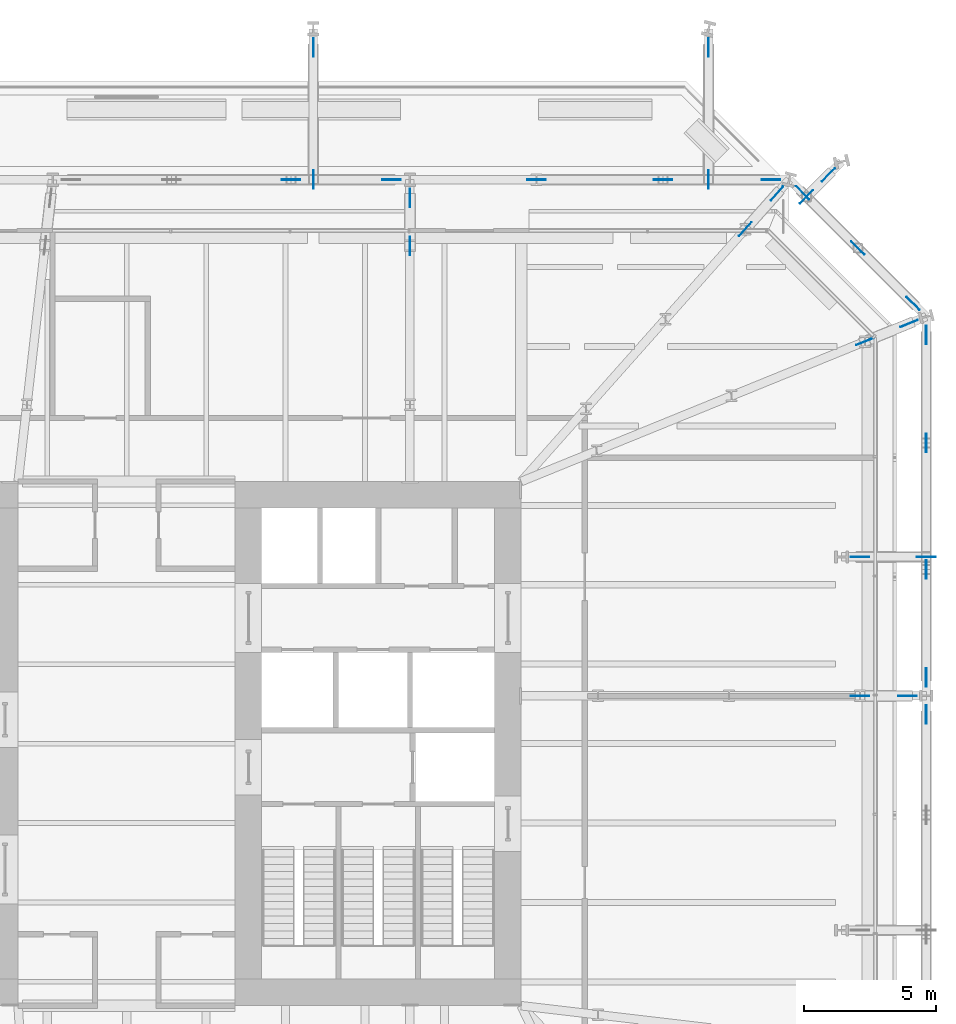
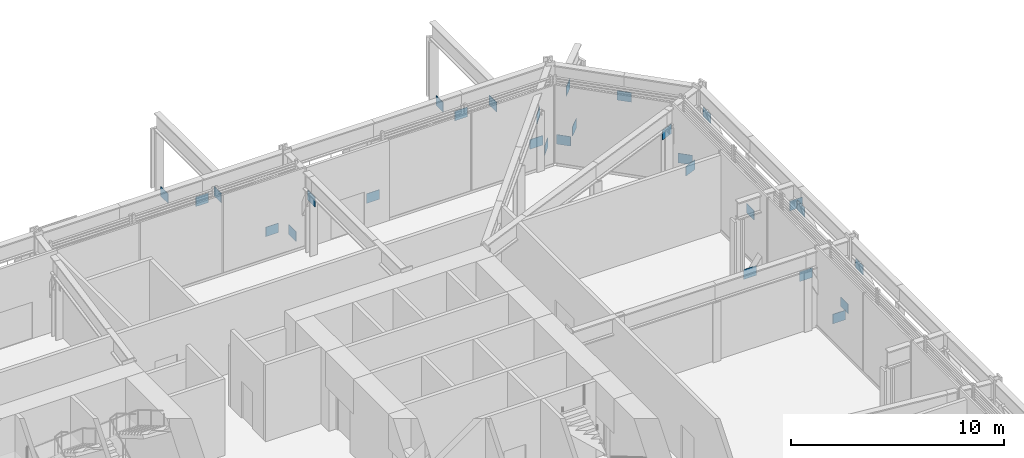
# One storey, part 26 of 29: 29 discrete accessories.
"""IFC4 building model written with IfcOpenShell, lengths in metres."""

import ifcopenshell
import ifcopenshell.guid

model = None  # the IFC model being written
_history = None  # IfcOwnerHistory: only IFC2X3 demands one
_inside = {}  # id of a spatial element -> (the spatial element, [elements in it])
_under = {}  # id of a project, library or spatial element -> (it, [spatial elements below it])
_declared = {}  # id of a project -> (the project, [libraries it declares])
_typed = {}  # id of a type object -> (the type object, [elements of that type])
_made_of = {}  # id of a material, layer set ... -> (it, [elements and type objects made of it])


def new_model(schema):
    """Start an empty IFC model of exactly this schema.

    Asked for "IFC4X3", IfcOpenShell would pick the latest addendum, in which some entities
    have other attributes; the version numbers below select the first issue.
    IFC2X3 requires an IfcOwnerHistory on every rooted entity: one is made here for all.
    """
    global model, _history
    if schema == "IFC4X3":
        model = ifcopenshell.file(schema_version=(4, 3, 0, 0))
    else:
        model = ifcopenshell.file(schema=schema)
    _inside.clear()
    _under.clear()
    _declared.clear()
    _typed.clear()
    _made_of.clear()
    _history = None
    if model.schema == "IFC2X3":
        org = make("IfcOrganization", Name="unknown")
        user = make(
            "IfcPersonAndOrganization",
            ThePerson=make("IfcPerson", FamilyName="unknown"),
            TheOrganization=org,
        )
        app = make(
            "IfcApplication",
            ApplicationDeveloper=org,
            Version="unknown",
            ApplicationFullName="unknown",
            ApplicationIdentifier="unknown",
        )
        _history = make(
            "IfcOwnerHistory",
            OwningUser=user,
            OwningApplication=app,
            ChangeAction="ADDED",
            CreationDate=0,
        )
    return model


def make(cls, **values):
    """One entity of the class cls with the attributes given. An attribute that is None is left unset."""
    return model.create_entity(
        cls, **{name: value for name, value in values.items() if value is not None}
    )


def rooted(cls, **values):
    """An entity with a GlobalId (a new one), such as an element, a storey or a relation."""
    return make(cls, GlobalId=ifcopenshell.guid.new(), OwnerHistory=_history, **values)


def si_unit(unit_type, name, prefix=None):
    """IfcSIUnit, for example si_unit("LENGTHUNIT", "METRE", prefix="MILLI")."""
    return make("IfcSIUnit", UnitType=unit_type, Prefix=prefix, Name=name)


def assignment(units):
    """IfcUnitAssignment: the units of a project."""
    return None if units is None else make("IfcUnitAssignment", Units=units)


def point(xyz):
    """IfcCartesianPoint."""
    return None if xyz is None else make("IfcCartesianPoint", Coordinates=xyz)


def direction(xyz):
    """IfcDirection."""
    return None if xyz is None else make("IfcDirection", DirectionRatios=xyz)


def frame(location, z_axis=None, x_axis=None):
    """IfcAxis2Placement3D, a coordinate frame: its origin and axes. An axis left out is left unset."""
    return make(
        "IfcAxis2Placement3D",
        Location=point(location),
        Axis=direction(z_axis),
        RefDirection=direction(x_axis),
    )


def frame_2d(location, x_axis=None):
    """IfcAxis2Placement2D, a coordinate frame in the plane: its origin and x axis."""
    return make(
        "IfcAxis2Placement2D", Location=point(location), RefDirection=direction(x_axis)
    )


def origin():
    """The frame at (0, 0, 0) with its axes left unset."""
    return frame((0.0, 0.0, 0.0))


def origin_2d():
    """The frame at (0, 0) in the plane with its x axis left unset."""
    return frame_2d((0.0, 0.0))


def place(relative_to, where):
    """IfcLocalPlacement: puts the frame where relative to a parent placement (None: the world)."""
    return make(
        "IfcLocalPlacement", PlacementRelTo=relative_to, RelativePlacement=where
    )


def context(
    kind, dimensions, precision=None, world=None, true_north=None, identifier=None
):
    """IfcGeometricRepresentationContext, for example the 3D "Model" context."""
    return make(
        "IfcGeometricRepresentationContext",
        ContextIdentifier=identifier,
        ContextType=kind,
        CoordinateSpaceDimension=dimensions,
        Precision=precision,
        WorldCoordinateSystem=world,
        TrueNorth=true_north,
    )


def subcontext(parent, identifier, kind, view, scale=None):
    """IfcGeometricRepresentationSubContext, for example "Body" below "Model"."""
    return make(
        "IfcGeometricRepresentationSubContext",
        ContextIdentifier=identifier,
        ContextType=kind,
        ParentContext=parent,
        TargetScale=scale,
        TargetView=view,
    )


def project(units=None, contexts=None):
    """IfcProject with its units and contexts."""
    return rooted(
        "IfcProject",
        Name="project",
        RepresentationContexts=contexts,
        UnitsInContext=assignment(units),
    )


def spatial(cls, under=None, at=None, **own):
    """A site, building, storey or space (cls), placed at a placement, below another one or the project."""
    s = rooted(cls, ObjectPlacement=at, **own)
    if under is not None:
        _under.setdefault(under.id(), (under, []))[1].append(s)
    return s


def profile(cls, at=None, kind="AREA", **sizes):
    """A parametric profile (cls). Its sizes go by their IFC names, for example OverallWidth=200.0."""
    return make(cls, ProfileType=kind, Position=at, **sizes)


def rectangle(**sizes):
    """IfcRectangleProfileDef."""
    return profile("IfcRectangleProfileDef", **sizes)


def extrude(swept, where, along, depth):
    """IfcExtrudedAreaSolid: the profile swept, set in the frame where, extruded along a direction by depth."""
    return make(
        "IfcExtrudedAreaSolid",
        SweptArea=swept,
        Position=where,
        ExtrudedDirection=direction(along),
        Depth=depth,
    )


def shape(context_of_items, identifier, shape_type, items):
    """IfcShapeRepresentation: the items that make up one representation, for example the "Body"."""
    return make(
        "IfcShapeRepresentation",
        ContextOfItems=context_of_items,
        RepresentationIdentifier=identifier,
        RepresentationType=shape_type,
        Items=items,
    )


def material(Name=None, Category=None):
    """IfcMaterial."""
    return make("IfcMaterial", Name=Name, Category=Category)


def layer(
    of_material, thickness, ventilated=None, Name=None, Category=None, Priority=None
):
    """IfcMaterialLayer: one layer of a wall or slab, of a material (None: an air gap)."""
    return make(
        "IfcMaterialLayer",
        Material=of_material,
        LayerThickness=thickness,
        IsVentilated=ventilated,
        Name=Name,
        Category=Category,
        Priority=Priority,
    )


def layer_set(layers, Name=None):
    """IfcMaterialLayerSet."""
    return make("IfcMaterialLayerSet", MaterialLayers=layers, LayerSetName=Name)


def made_of(thing, what):
    """Note that an element or type object is made of a material, layer set ...; save() writes the relation."""
    if what is not None:
        _made_of.setdefault(what.id(), (what, []))[1].append(thing)
    return thing


def type_object(cls, material=None, **own):
    """A type object (cls), such as IfcWallType, which elements share."""
    return made_of(rooted(cls, **own), material)


def element(
    cls,
    number,
    at=None,
    inside=None,
    cuts=None,
    type_object=None,
    material=None,
    context=None,
    identifier="Body",
    shape_type=None,
    held_by="IfcProductDefinitionShape",
    body=None,
    shapes=None,
    **own,
):
    """One element of the class cls, such as IfcWall. Its Tag is "e" and its number.

    at: its placement. inside: the storey or other place that contains it. cuts: it is an
    opening in that element (IfcRelVoidsElement). A single representation is given by context,
    identifier, shape_type and body (its items); several are given by shapes. held_by: the class
    of the entity that holds the representations. save() writes the other relations.
    """
    e = rooted(cls, Tag="e%d" % number, ObjectPlacement=at, **own)
    if body is not None:
        shapes = [shape(context, identifier, shape_type, body)]
    if shapes is not None:
        e.Representation = make(held_by, Representations=shapes)
    if inside is not None:
        _inside.setdefault(inside.id(), (inside, []))[1].append(e)
    if cuts is not None:
        rooted(
            "IfcRelVoidsElement", RelatingBuildingElement=cuts, RelatedOpeningElement=e
        )
    if type_object is not None:
        _typed.setdefault(type_object.id(), (type_object, []))[1].append(e)
    return made_of(e, material)


def aggregate(whole, parts):
    """IfcRelAggregates: a whole, such as a stair, and the parts it consists of."""
    return rooted("IfcRelAggregates", RelatingObject=whole, RelatedObjects=parts)


def save(model, path):
    """Write the relations noted so far, then the file.

    IfcRelAggregates (storeys below a building ...), IfcRelContainedInSpatialStructure (elements
    in a storey), IfcRelDefinesByType, IfcRelAssociatesMaterial and IfcRelDeclares: one each for
    every whole, place, type object, material and project.
    """
    for whole, parts in _under.values():
        aggregate(whole, parts)
    for where, things in _inside.values():
        rooted(
            "IfcRelContainedInSpatialStructure",
            RelatedElements=things,
            RelatingStructure=where,
        )
    for kind, things in _typed.values():
        rooted("IfcRelDefinesByType", RelatedObjects=things, RelatingType=kind)
    for what, things in _made_of.values():
        rooted("IfcRelAssociatesMaterial", RelatedObjects=things, RelatingMaterial=what)
    for by, libraries in _declared.values():
        rooted("IfcRelDeclares", RelatingContext=by, RelatedDefinitions=libraries)
    model.write(path)


model = new_model("IFC4")

# Units and contexts
model_context = context("Model", 3, precision=1e-05, world=origin(), true_north=direction((0.0, 1.0)))
body_context = subcontext(model_context, "Body", "Model", "MODEL_VIEW")
ifc_project = project(units=[si_unit("LENGTHUNIT", "METRE"), si_unit("AREAUNIT", "SQUARE_METRE"), si_unit("VOLUMEUNIT", "CUBIC_METRE"), si_unit("PLANEANGLEUNIT", "RADIAN"), si_unit("MASSUNIT", "GRAM", prefix="KILO")], contexts=[model_context])

# Site, building, storey
site_placement = place(None, origin())
site = spatial("IfcSite", under=ifc_project, at=site_placement, CompositionType="ELEMENT")
building_placement = place(site_placement, origin())
building = spatial("IfcBuilding", under=site, at=building_placement, Name="Millrace Tower", CompositionType="ELEMENT")
storey_placement = place(building_placement, frame((0.0, 0.0, 68.60009765625)))
storey = spatial("IfcBuildingStorey", under=building, at=storey_placement, Name="L15", CompositionType="ELEMENT", Elevation=68.60009765625)

# Discrete accessories
ifc_material = material(Name="Steel ASTM A572 Grade 50", Category="steel")
ifc_layer = layer(ifc_material, 0.02490234375)
ifc_layer_set = layer_set([ifc_layer], Name="Steel ASTM A572 Grade 50")
discrete_accessory_type = type_object("IfcDiscreteAccessoryType", Name="Truss gusset plate 700x550x25", PredefinedType="BRACKET", material=ifc_layer_set)
discrete_accessory_1_placement = place(storey_placement, frame((30.199951171875, 0.75, 3.1318359375), z_axis=(0.0, 1.0, 0.0), x_axis=(-1.0, 0.0, 0.0)))
element("IfcDiscreteAccessory", 1, at=discrete_accessory_1_placement, inside=storey, type_object=discrete_accessory_type, Name="Truss gusset plate TRS-L15-R07-D03 head", PredefinedType="BRACKET", context=body_context, shape_type="SweptSolid", body=[
    extrude(rectangle(XDim=0.02490234375, YDim=0.550048828125, at=origin_2d()), origin(), (0.0, 0.0, 1.0), 0.699951171875),
])
discrete_accessory_2_placement = place(storey_placement, frame((30.199951171875, 2.14990234375, 0.074951171875), z_axis=(0.0, 1.0, 0.0), x_axis=(-1.0, 0.0, 0.0)))
element("IfcDiscreteAccessory", 2, at=discrete_accessory_2_placement, inside=storey, type_object=discrete_accessory_type, Name="Truss gusset plate TRS-L15-R08-D01 foot", PredefinedType="BRACKET", context=body_context, shape_type="SweptSolid", body=[
    extrude(rectangle(XDim=0.02490234375, YDim=0.550048828125, at=origin_2d()), origin(), (0.0, 0.0, 1.0), 0.7001953125),
])
discrete_accessory_3_placement = place(storey_placement, frame((30.199951171875, 6.22607421875, 3.1318359375), z_axis=(0.0, 1.0, 0.0), x_axis=(-1.0, 0.0, 0.0)))
element("IfcDiscreteAccessory", 3, at=discrete_accessory_3_placement, inside=storey, type_object=discrete_accessory_type, Name="Truss gusset plate TRS-L15-R08-D01 head", PredefinedType="BRACKET", context=body_context, shape_type="SweptSolid", body=[
    extrude(rectangle(XDim=0.02490234375, YDim=0.550048828125, at=origin_2d()), origin(), (0.0, 0.0, 1.0), 0.699951171875),
])
discrete_accessory_4_placement = place(storey_placement, frame((30.199951171875, 11.002197265625, 0.074951171875), z_axis=(0.0, 1.0, 0.0), x_axis=(-1.0, 0.0, 0.0)))
element("IfcDiscreteAccessory", 4, at=discrete_accessory_4_placement, inside=storey, type_object=discrete_accessory_type, Name="Truss gusset plate TRS-L15-R08-D02 foot", PredefinedType="BRACKET", context=body_context, shape_type="SweptSolid", body=[
    extrude(rectangle(XDim=0.02490234375, YDim=0.550048828125, at=origin_2d()), origin(), (0.0, 0.0, 1.0), 0.7001953125),
])
for number, where, z_axis, x_axis, name in (
    (5, (30.199951171875, 15.078369140625, 3.1318359375), (0.0, 1.0, 0.0), (-1.0, 0.0, 0.0), "Truss gusset plate TRS-L15-R08-D03 head"),
    (6, (29.45751953125, 16.870849609375, 0.074951171875), (0.707106781187, -0.707106781187, 0.0), (0.707106781187, 0.707106781187, 0.0), "Truss gusset plate TRS-L15-R09-D01 foot"),
    (7, (27.36669921875, 18.961669921875, 3.1318359375), (0.707281138664, -0.706932380706, 0.0), (0.706932380706, 0.707281138664, 0.0), "Truss gusset plate TRS-L15-R09-D01 head"),
    (8, (25.27587890625, 21.052490234375, 0.074951171875), (0.707281138664, -0.706932380706, 0.0), (0.706932380706, 0.707281138664, 0.0), "Truss gusset plate TRS-L15-R09-D02 foot"),
    (9, (23.978515625, 21.300048828125, 0.074951171875), (1.0, 0.0, 0.0), (0.0, 1.0, 0.0), "Truss gusset plate TRS-L15-R10-D01 foot"),
    (10, (19.90234375, 21.300048828125, 3.1318359375), (1.0, 0.0, 0.0), (0.0, 1.0, 0.0), "Truss gusset plate TRS-L15-R10-D01 head"),
    (11, (15.126220703125, 21.300048828125, 0.074951171875), (1.0, 0.0, 0.0), (0.0, 1.0, 0.0), "Truss gusset plate TRS-L15-R10-D02 foot"),
):
    element("IfcDiscreteAccessory", number, at=place(storey_placement, frame(where, z_axis=z_axis, x_axis=x_axis)), inside=storey, type_object=discrete_accessory_type, Name=name, PredefinedType="BRACKET", context=body_context, shape_type="SweptSolid", body=[
        extrude(rectangle(XDim=0.02490234375, YDim=0.550048828125, at=origin_2d()), origin(), (0.0, 0.0, 1.0), 0.699951171875),
    ])
discrete_accessory_5_placement = place(storey_placement, frame((9.64990234375, 21.300048828125, 0.074951171875), z_axis=(1.0, 0.0, 0.0), x_axis=(0.0, 1.0, 0.0)))
element("IfcDiscreteAccessory", 12, at=discrete_accessory_5_placement, inside=storey, type_object=discrete_accessory_type, Name="Truss gusset plate TRS-L15-R11-D01 foot", PredefinedType="BRACKET", context=body_context, shape_type="SweptSolid", body=[
    extrude(rectangle(XDim=0.02490234375, YDim=0.550048828125, at=origin_2d()), origin(), (0.0, 0.0, 1.0), 0.7001953125),
])
discrete_accessory_6_placement = place(storey_placement, frame((5.85009765625, 21.300048828125, 3.1318359375), z_axis=(1.0, 0.0, 0.0), x_axis=(0.0, 1.0, 0.0)))
element("IfcDiscreteAccessory", 13, at=discrete_accessory_6_placement, inside=storey, type_object=discrete_accessory_type, Name="Truss gusset plate TRS-L15-R11-D01 head", PredefinedType="BRACKET", context=body_context, shape_type="SweptSolid", body=[
    extrude(rectangle(XDim=0.02490234375, YDim=0.550048828125, at=origin_2d()), origin(), (0.0, 0.0, 1.0), 0.699951171875),
])
discrete_accessory_7_placement = place(storey_placement, frame((29.14990234375, 1.800048828125, 0.074951171875), z_axis=(1.0, 0.0, 0.0), x_axis=(0.0, 1.0, 0.0)))
element("IfcDiscreteAccessory", 14, at=discrete_accessory_7_placement, inside=storey, type_object=discrete_accessory_type, Name="Truss gusset plate TRS-L15-C08-D01 foot", PredefinedType="BRACKET", context=body_context, shape_type="SweptSolid", body=[
    extrude(rectangle(XDim=0.02490234375, YDim=0.550048828125, at=origin_2d()), origin(), (0.0, 0.0, 1.0), 0.7001953125),
])
for number, where, z_axis, x_axis, name in (
    (15, (27.35009765625, 1.800048828125, 3.1318359375), (1.0, 0.0, 0.0), (0.0, 1.0, 0.0), "Truss gusset plate TRS-L15-C08-D01 head"),
    (16, (29.2275390625, 15.732421875, 0.074951171875), (0.926051729998, 0.37739659957, 0.0), (-0.37739659957, 0.926051729998, 0.0), "Truss gusset plate TRS-L15-C09-D01 foot"),
):
    element("IfcDiscreteAccessory", number, at=place(storey_placement, frame(where, z_axis=z_axis, x_axis=x_axis)), inside=storey, type_object=discrete_accessory_type, Name=name, PredefinedType="BRACKET", context=body_context, shape_type="SweptSolid", body=[
        extrude(rectangle(XDim=0.02490234375, YDim=0.550048828125, at=origin_2d()), origin(), (0.0, 0.0, 1.0), 0.699951171875),
    ])
discrete_accessory_8_placement = place(storey_placement, frame((27.560302734375, 15.053955078125, 3.1318359375), z_axis=(0.926223179849, 0.376975624027, 0.0), x_axis=(-0.376975624027, 0.926223179849, 0.0)))
element("IfcDiscreteAccessory", 17, at=discrete_accessory_8_placement, inside=storey, type_object=discrete_accessory_type, Name="Truss gusset plate TRS-L15-C09-D01 head", PredefinedType="BRACKET", context=body_context, shape_type="SweptSolid", body=[
    extrude(rectangle(XDim=0.02490234375, YDim=0.550048828125, at=origin_2d()), origin(), (0.0, 0.0, 1.0), 0.7001953125),
])
for number, where, z_axis, x_axis, name in (
    (18, (24.3310546875, 20.51513671875, 0.074951171875), (0.664190604082, 0.747563269195, 0.0), (-0.747563269195, 0.664190604082, 0.0), "Truss gusset plate TRS-L15-C10-D01 foot"),
    (19, (23.135498046875, 19.16943359375, 3.1318359375), (0.664190604082, 0.747563269195, 0.0), (-0.747563269195, 0.664190604082, 0.0), "Truss gusset plate TRS-L15-C10-D01 head"),
    (20, (10.699951171875, 20.25, 0.074951171875), (0.0, 1.0, 0.0), (-1.0, 0.0, 0.0), "Truss gusset plate TRS-L15-C11-D01 foot"),
    (21, (10.699951171875, 18.449951171875, 3.1318359375), (0.0, 1.0, 0.0), (-1.0, 0.0, 0.0), "Truss gusset plate TRS-L15-C11-D01 head"),
    (22, (27.35009765625, 7.050048828125, 0.074951171875), (1.0, 0.0, 0.0), (0.0, 1.0, 0.0), "Truss gusset plate TRS-L15-B-A-X08-D01 foot"),
    (23, (29.85009765625, 7.050048828125, 3.1318359375), (1.0, 0.0, 0.0), (0.0, 1.0, 0.0), "Truss gusset plate TRS-L15-B-A-X08-D01 head"),
    (24, (26.257568359375, 21.236083984375, 0.074951171875), (0.707106781187, 0.707106781187, 0.0), (-0.707106781187, 0.707106781187, 0.0), "Truss gusset plate TRS-L15-B-A-X09-D01 foot"),
    (25, (25.427490234375, 20.406005859375, 3.1318359375), (0.707281138664, 0.706932380706, 0.0), (-0.706932380706, 0.707281138664, 0.0), "Truss gusset plate TRS-L15-B-A-X09-D01 head"),
    (26, (21.978515625, 25.949951171875, 0.074951171875), (0.0, 1.0, 0.0), (-1.0, 0.0, 0.0), "Truss gusset plate TRS-L15-B-A-X10-D01 foot"),
    (27, (21.978515625, 20.949951171875, 3.1318359375), (0.0, 1.0, 0.0), (-1.0, 0.0, 0.0), "Truss gusset plate TRS-L15-B-A-X10-D01 head"),
    (28, (7.050048828125, 25.949951171875, 0.074951171875), (0.0, 1.0, 0.0), (-1.0, 0.0, 0.0), "Truss gusset plate TRS-L15-B-A-X11-D01 foot"),
    (29, (7.050048828125, 20.949951171875, 3.1318359375), (0.0, 1.0, 0.0), (-1.0, 0.0, 0.0), "Truss gusset plate TRS-L15-B-A-X11-D01 head"),
):
    element("IfcDiscreteAccessory", number, at=place(storey_placement, frame(where, z_axis=z_axis, x_axis=x_axis)), inside=storey, type_object=discrete_accessory_type, Name=name, PredefinedType="BRACKET", context=body_context, shape_type="SweptSolid", body=[
        extrude(rectangle(XDim=0.02490234375, YDim=0.550048828125, at=origin_2d()), origin(), (0.0, 0.0, 1.0), 0.699951171875),
    ])

save(model, "model.ifc")
